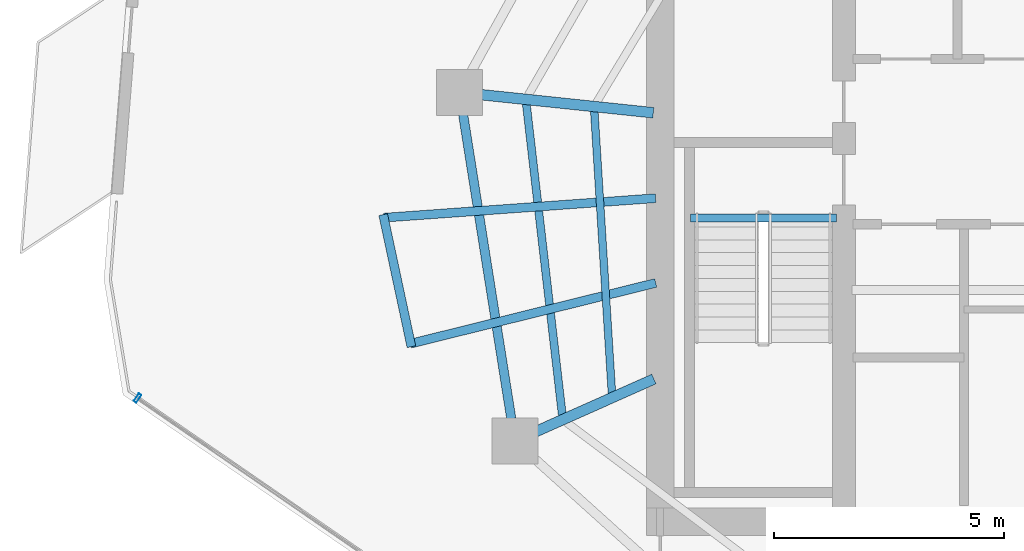
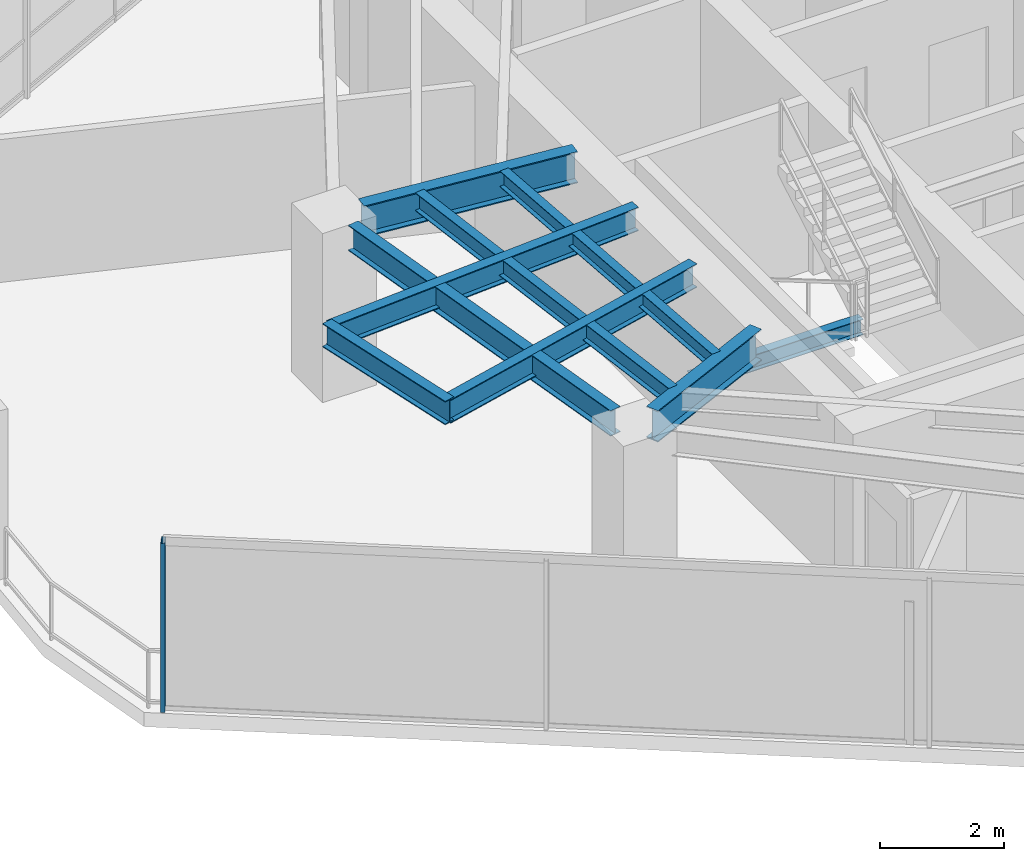
# One storey, part 6 of 21: 9 beams, 1 member, 1 element without a shape of its own.
"""IFC4 building model written with IfcOpenShell, lengths in metres."""

from ifc_helpers import new_model, si_unit, direction, frame, origin, origin_2d, place, context, subcontext, project, spatial, hollow_rectangle, i_section, extrude, material, layer, layer_set, material_profile, profile_set, type_object, element, aggregate, save


model = new_model("IFC4")

# Units and contexts
model_context = context("Model", 3, precision=1e-05, world=origin(), true_north=direction((0.0, 1.0)))
body_context = subcontext(model_context, "Body", "Model", "MODEL_VIEW")
ifc_project = project(units=[si_unit("LENGTHUNIT", "METRE"), si_unit("AREAUNIT", "SQUARE_METRE"), si_unit("VOLUMEUNIT", "CUBIC_METRE"), si_unit("PLANEANGLEUNIT", "RADIAN"), si_unit("MASSUNIT", "GRAM", prefix="KILO")], contexts=[model_context])

# Site, building, storey
site_placement = place(None, origin())
site = spatial("IfcSite", under=ifc_project, at=site_placement, CompositionType="ELEMENT")
building_placement = place(site_placement, origin())
building = spatial("IfcBuilding", under=site, at=building_placement, Name="Qarnah Convention Tower", CompositionType="ELEMENT")
storey_placement = place(building_placement, frame((0.0, 0.0, 161.699951171875)))
storey = spatial("IfcBuildingStorey", under=building, at=storey_placement, Name="L43", CompositionType="ELEMENT", Elevation=161.699951171875)

# Beams
ifc_material_1 = material(Name="Structural steel S355JR", Category="steel")
ifc_material_profile_1 = material_profile(ifc_material_1, i_section(OverallWidth=0.19189453125, OverallDepth=0.464111328125, WebThickness=0.010986328125, FlangeThickness=0.01806640625, at=origin_2d()), Name="W460X89")
ifc_profile_set_1 = profile_set([ifc_material_profile_1], Name="Structural steel S355JR")
beam_type_1 = type_object("IfcBeamType", Name="BM-CANT-W460A", PredefinedType="BEAM", material=ifc_profile_set_1)
beam_1_placement = place(storey_placement, frame((26.699951171875, 25.64794921875, 3.088134765625), z_axis=(-0.997431478283, -0.071627132639, 0.0), x_axis=(0.071627132639, -0.997431478283, 0.0)))
element("IfcBeam", 1, at=beam_1_placement, inside=storey, type_object=beam_type_1, Name="L43 beam BM-L43-CNT-02-1", PredefinedType="BEAM", context=body_context, shape_type="SweptSolid", body=[
    extrude(i_section(OverallWidth=0.19189453125, OverallDepth=0.464111328125, WebThickness=0.010986328125, FlangeThickness=0.01806640625, at=origin_2d()), origin(), (0.0, 0.0, 1.0), 5.93408203125),
])
beam_2_placement = place(storey_placement, frame((26.702880859375, 23.802001953125, 3.088134765625), z_axis=(-0.970704086067, -0.240278124872, 0.0), x_axis=(0.240278124872, -0.970704086067, 0.0)))
element("IfcBeam", 2, at=beam_2_placement, inside=storey, type_object=beam_type_1, Name="L43 beam BM-L43-CNT-02-2", PredefinedType="BEAM", context=body_context, shape_type="SweptSolid", body=[
    extrude(i_section(OverallWidth=0.19189453125, OverallDepth=0.464111328125, WebThickness=0.010986328125, FlangeThickness=0.01806640625, at=origin_2d()), origin(), (0.0, 0.0, 1.0), 5.498046875),
])
beam_3_placement = place(storey_placement, frame((20.76611328125, 25.291015625, 3.088134765625), z_axis=(0.208973836363, -0.977921231857, 0.0), x_axis=(0.977921231857, 0.208973836363, 0.0)))
element("IfcBeam", 3, at=beam_3_placement, inside=storey, type_object=beam_type_1, Name="L43 spandrel BM-L43-CTIE-02", PredefinedType="SPANDREL", context=body_context, shape_type="SweptSolid", body=[
    extrude(i_section(OverallWidth=0.19189453125, OverallDepth=0.464111328125, WebThickness=0.010986328125, FlangeThickness=0.01806640625, at=origin_2d()), origin(), (0.0, 0.0, 1.0), 2.94287109375),
])
ifc_material_profile_2 = material_profile(ifc_material_1, i_section(OverallWidth=0.166015625, OverallDepth=0.31201171875, WebThickness=0.007080078125, FlangeThickness=0.010986328125, at=origin_2d()), Name="W310X45")
ifc_profile_set_2 = profile_set([ifc_material_profile_2], Name="Structural steel S355JR")
beam_type_2 = type_object("IfcBeamType", Name="BM-JST-W310", PredefinedType="JOIST", material=ifc_profile_set_2)
beam_4_placement = place(storey_placement, frame((27.4599609375, 25.217041015625, -0.156005859375), z_axis=(1.0, 0.0, 0.0), x_axis=(0.0, 1.0, 0.0)))
element("IfcBeam", 4, at=beam_4_placement, inside=storey, type_object=beam_type_2, Name="L43 stair landing trimmer beam BM-L43-ST1-TRM", PredefinedType="BEAM", context=body_context, shape_type="SweptSolid", body=[
    extrude(i_section(OverallWidth=0.166015625, OverallDepth=0.31201171875, WebThickness=0.007080078125, FlangeThickness=0.010986328125, at=origin_2d()), origin(), (0.0, 0.0, 1.0), 3.179931640625),
])
beam_5_placement = place(storey_placement, frame((25.364013671875, 27.553955078125, 3.1640625), z_axis=(0.062390601432, -0.998051808702, 0.0), x_axis=(0.998051808702, 0.062390601432, 0.0)))
element("IfcBeam", 5, at=beam_5_placement, inside=storey, type_object=beam_type_2, Name="L43 joist BM-L43-IJST-05", PredefinedType="JOIST", context=body_context, shape_type="SweptSolid", body=[
    extrude(i_section(OverallWidth=0.166015625, OverallDepth=0.31201171875, WebThickness=0.007080078125, FlangeThickness=0.010986328125, at=origin_2d()), origin(), (0.0, 0.0, 1.0), 6.1708984375),
])
ifc_material_profile_3 = material_profile(ifc_material_1, i_section(OverallWidth=0.172119140625, OverallDepth=0.35595703125, WebThickness=0.007080078125, FlangeThickness=0.011962890625, at=origin_2d()), Name="W360X51")
ifc_profile_set_3 = profile_set([ifc_material_profile_3], Name="Structural steel S355JR")
beam_type_3 = type_object("IfcBeamType", Name="BM-JST-W360", PredefinedType="JOIST", material=ifc_profile_set_3)
beam_6_placement = place(storey_placement, frame((23.883056640625, 27.7119140625, 3.14208984375), z_axis=(0.114843478179, -0.993383599381, 0.0), x_axis=(0.993383599381, 0.114843478179, 0.0)))
element("IfcBeam", 6, at=beam_6_placement, inside=storey, type_object=beam_type_3, Name="L43 joist BM-L43-SJST-05", PredefinedType="JOIST", context=body_context, shape_type="SweptSolid", body=[
    extrude(i_section(OverallWidth=0.172119140625, OverallDepth=0.35595703125, WebThickness=0.007080078125, FlangeThickness=0.011962890625, at=origin_2d()), origin(), (0.0, 0.0, 1.0), 6.843017578125),
])
ifc_material_profile_4 = material_profile(ifc_material_1, i_section(OverallWidth=0.22998046875, OverallDepth=0.617919921875, WebThickness=0.012939453125, FlangeThickness=0.02197265625, at=origin_2d()), Name="W610X140")
ifc_profile_set_4 = profile_set([ifc_material_profile_4], Name="Structural steel S355JR")
beam_type_4 = type_object("IfcBeamType", Name="BM-RAD-W610A", PredefinedType="BEAM", material=ifc_profile_set_4)
beam_7_placement = place(storey_placement, frame((26.65087890625, 27.509033203125, 3.010986328125), z_axis=(-0.994531015982, 0.104441649973, 0.0), x_axis=(-0.104441649973, -0.994531015982, 0.0)))
element("IfcBeam", 7, at=beam_7_placement, inside=storey, type_object=beam_type_4, Name="L43 beam BM-L43-RAD-05", PredefinedType="BEAM", context=body_context, shape_type="SweptSolid", body=[
    extrude(i_section(OverallWidth=0.22998046875, OverallDepth=0.617919921875, WebThickness=0.012939453125, FlangeThickness=0.02197265625, at=origin_2d()), origin(), (0.0, 0.0, 1.0), 3.763427734375),
])
beam_8_placement = place(storey_placement, frame((26.6630859375, 21.708984375, 3.010986328125), z_axis=(-0.913488265638, -0.406865074123, 0.0), x_axis=(0.406865074123, -0.913488265638, 0.0)))
element("IfcBeam", 8, at=beam_8_placement, inside=storey, type_object=beam_type_4, Name="L43 beam BM-L43-RAD-06", PredefinedType="BEAM", context=body_context, shape_type="SweptSolid", body=[
    extrude(i_section(OverallWidth=0.22998046875, OverallDepth=0.617919921875, WebThickness=0.012939453125, FlangeThickness=0.02197265625, at=origin_2d()), origin(), (0.0, 0.0, 1.0), 2.83642578125),
])
ifc_material_profile_5 = material_profile(ifc_material_1, i_section(OverallWidth=0.199951171875, OverallDepth=0.5, WebThickness=0.010009765625, FlangeThickness=0.01611328125, at=origin_2d()), Name="IPE500")
ifc_profile_set_5 = profile_set([ifc_material_profile_5], Name="Structural steel S355JR")
beam_type_5 = type_object("IfcBeamType", Name="BM-SPN-IPE500", PredefinedType="SPANDREL", material=ifc_profile_set_5)
beam_9_placement = place(storey_placement, frame((22.508056640625, 27.468017578125, 3.070068359375), z_axis=(0.156388773261, -0.987695576379, 0.0), x_axis=(0.987695576379, 0.156388773261, 0.0)))
element("IfcBeam", 9, at=beam_9_placement, inside=storey, type_object=beam_type_5, Name="L43 spandrel BM-L43-SPN-05", PredefinedType="SPANDREL", context=body_context, shape_type="SweptSolid", body=[
    extrude(i_section(OverallWidth=0.199951171875, OverallDepth=0.5, WebThickness=0.010009765625, FlangeThickness=0.01611328125, at=origin_2d()), origin(), (0.0, 0.0, 1.0), 6.70654296875),
])

# Curtain wall, member
ifc_material_2 = material(Name="Tempered Low-E dark glass", Category="glass")
ifc_layer = layer(ifc_material_2, 0.172119140625)
ifc_layer_set = layer_set([ifc_layer], Name="Tempered Low-E dark glass")
curtain_wall_type = type_object("IfcCurtainWallType", Name="CWS-03", PredefinedType="NOTDEFINED", material=ifc_layer_set)
curtain_wall_placement = place(storey_placement, origin())
curtain_wall = element("IfcCurtainWall", 10, at=curtain_wall_placement, inside=storey, type_object=curtain_wall_type, Name="L43 unitised curtain wall CW-L43-F3", PredefinedType="NOTDEFINED")
ifc_material_3 = material(Name="Black anodised aluminium", Category="aluminium")
ifc_material_profile_6 = material_profile(ifc_material_3, hollow_rectangle(XDim=0.070068359375, YDim=0.199951171875, WallThickness=0.0048828125, at=origin_2d()), Name="MUL-70X200")
ifc_profile_set_6 = profile_set([ifc_material_profile_6], Name="Black anodised aluminium")
member_type = type_object("IfcMemberType", Name="MUL-T3", PredefinedType="MULLION", material=ifc_profile_set_6)
member_placement = place(storey_placement, frame((15.4150390625, 21.2939453125, 0.0), z_axis=(0.0, 0.0, 1.0), x_axis=(-0.823532102593, 0.567269667794, 0.0)))
member = element("IfcMember", 11, at=member_placement, type_object=member_type, Name="CW-L43-F3 mullion 6", PredefinedType="MULLION", context=body_context, shape_type="SweptSolid", body=[
    extrude(hollow_rectangle(XDim=0.070068359375, YDim=0.199951171875, WallThickness=0.0048828125, at=origin_2d()), origin(), (0.0, 0.0, 1.0), 3.320068359375),
])
aggregate(curtain_wall, [member])

save(model, "model.ifc")
